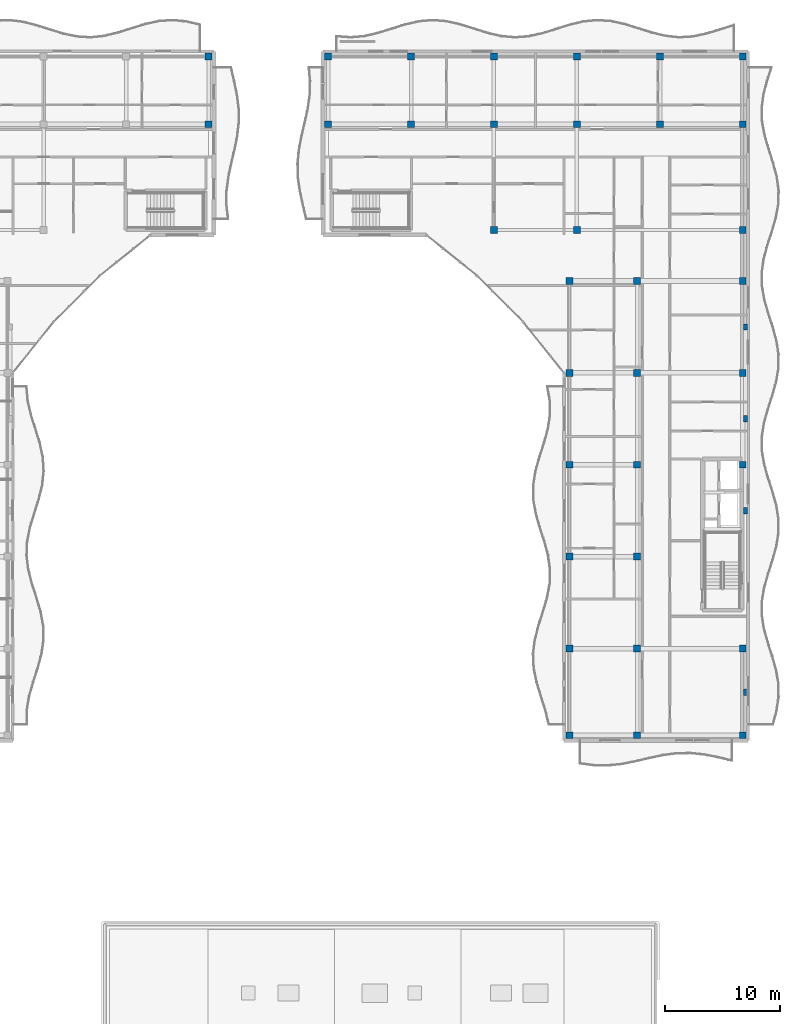
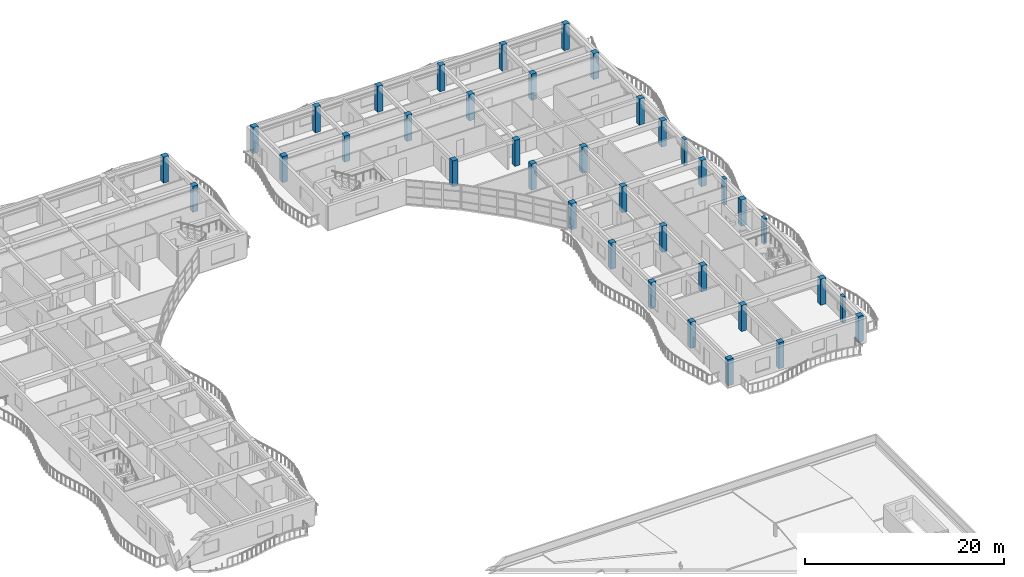
# One storey, part 3 of 79: 38 columns.
"""IFC4 building model written with IfcOpenShell, lengths in metres."""

from ifc_helpers import new_model, si_unit, direction, frame, origin, origin_2d, place, context, subcontext, project, spatial, rectangle, extrude, material, material_profile, profile_set, type_object, element, save


model = new_model("IFC4")

# Units and contexts
model_context = context("Model", 3, precision=1e-05, world=origin(), true_north=direction((0.0, 1.0)))
body_context = subcontext(model_context, "Body", "Model", "MODEL_VIEW")
ifc_project = project(units=[si_unit("LENGTHUNIT", "METRE"), si_unit("AREAUNIT", "SQUARE_METRE"), si_unit("VOLUMEUNIT", "CUBIC_METRE"), si_unit("PLANEANGLEUNIT", "RADIAN"), si_unit("MASSUNIT", "GRAM", prefix="KILO")], contexts=[model_context])

# Site, building, storey
site_placement = place(None, origin())
site = spatial("IfcSite", under=ifc_project, at=site_placement, CompositionType="ELEMENT")
building_placement = place(site_placement, origin())
building = spatial("IfcBuilding", under=site, at=building_placement, Name="Keldmere Railside Commons", CompositionType="ELEMENT")
storey_placement = place(building_placement, frame((0.0, 0.0, 10.56005859375)))
storey = spatial("IfcBuildingStorey", under=building, at=storey_placement, Name="L03", CompositionType="ELEMENT", Elevation=10.56005859375)

# Columns
ifc_material_1 = material(Name="Architectural Precast Concrete H-35 (C35/45)", Category="concrete")
ifc_material_profile_1 = material_profile(ifc_material_1, rectangle(XDim=0.35009765625, YDim=0.550048828125, at=origin_2d()), Name="RC-350x550")
ifc_profile_set_1 = profile_set([ifc_material_profile_1], Name="Architectural Precast Concrete H-35 (C35/45)")
column_type_1 = type_object("IfcColumnType", Name="Facade Precast Pilaster Column 350x550", PredefinedType="PILASTER", material=ifc_profile_set_1)
for number, where, z_axis, x_axis, name in (
    (1, (183.780029296875, 60.199951171875, 0.0), (0.0, 0.0, 1.0), (1.0, 0.0, 0.0), "C-PIL COL-L03-1916"),
    (2, (183.780029296875, 76.0, 0.0), (0.0, 0.0, 1.0), (1.0, 0.0, 0.0), "C-PIL COL-L03-1921"),
    (3, (183.780029296875, 84.0, 0.0), (0.0, 0.0, 1.0), (1.0, 0.0, 0.0), "C-PIL COL-L03-1926"),
    (4, (183.780029296875, 92.0, 0.0), (0.0, 0.0, 1.0), (1.0, 0.0, 0.0), "C-PIL COL-L03-1931"),
):
    element("IfcColumn", number, at=place(storey_placement, frame(where, z_axis=z_axis, x_axis=x_axis)), inside=storey, type_object=column_type_1, Name=name, PredefinedType="PILASTER", context=body_context, shape_type="SweptSolid", body=[
        extrude(rectangle(XDim=0.35009765625, YDim=0.550048828125, at=origin_2d()), origin(), (0.0, 0.0, 1.0), 3.199951171875),
    ])
ifc_material_2 = material(Name="Concrete H-35 (C35/45)", Category="concrete")
ifc_material_profile_2 = material_profile(ifc_material_2, rectangle(XDim=0.60009765625, YDim=0.60009765625, at=origin_2d()), Name="RC-600x600")
ifc_profile_set_2 = profile_set([ifc_material_profile_2], Name="Concrete H-35 (C35/45)")
column_type_2 = type_object("IfcColumnType", Name="Mid-Rise RC Column 600x600", PredefinedType="COLUMN", material=ifc_profile_set_2)
for number, where, z_axis, x_axis, name in (
    (5, (137.050048828125, 109.64990234375, 0.0), (0.0, 0.0, 1.0), (1.0, 0.0, 0.0), "C-600 COL-L03-1346"),
    (6, (137.050048828125, 115.550048828125, 0.0), (0.0, 0.0, 1.0), (1.0, 0.0, 0.0), "C-600 COL-L03-1359"),
    (7, (147.449951171875, 109.64990234375, 0.0), (0.0, 0.0, 1.0), (1.0, 0.0, 0.0), "C-600 COL-L03-1376"),
    (8, (147.449951171875, 115.550048828125, 0.0), (0.0, 0.0, 1.0), (1.0, 0.0, 0.0), "C-600 COL-L03-1391"),
    (9, (154.669921875, 109.64990234375, 0.0), (0.0, 0.0, 1.0), (1.0, 0.0, 0.0), "C-600 COL-L03-1428"),
    (10, (154.669921875, 115.550048828125, 0.0), (0.0, 0.0, 1.0), (1.0, 0.0, 0.0), "C-600 COL-L03-1443"),
    (11, (161.889892578125, 100.449951171875, 0.0), (0.0, 0.0, 1.0), (1.0, 0.0, 0.0), "C-600 COL-L03-1481"),
    (12, (161.889892578125, 109.64990234375, 0.0), (0.0, 0.0, 1.0), (1.0, 0.0, 0.0), "C-600 COL-L03-1497"),
    (13, (161.889892578125, 115.550048828125, 0.0), (0.0, 0.0, 1.0), (1.0, 0.0, 0.0), "C-600 COL-L03-1512"),
    (14, (168.449951171875, 56.449951171875, 0.0), (0.0, 0.0, 1.0), (1.0, 0.0, 0.0), "C-600 COL-L03-1547"),
    (15, (168.449951171875, 64.0, 0.0), (0.0, 0.0, 1.0), (1.0, 0.0, 0.0), "C-600 COL-L03-1557"),
    (16, (168.449951171875, 72.0, 0.0), (0.0, 0.0, 1.0), (1.0, 0.0, 0.0), "C-600 COL-L03-1571"),
    (17, (168.449951171875, 80.0, 0.0), (0.0, 0.0, 1.0), (1.0, 0.0, 0.0), "C-600 COL-L03-1586"),
    (18, (168.449951171875, 88.0, 0.0), (0.0, 0.0, 1.0), (1.0, 0.0, 0.0), "C-600 COL-L03-1601"),
    (19, (168.449951171875, 96.0, 0.0), (0.0, 0.0, 1.0), (1.0, 0.0, 0.0), "C-600 COL-L03-1616"),
    (20, (169.110107421875, 100.449951171875, 0.0), (0.0, 0.0, 1.0), (1.0, 0.0, 0.0), "C-600 COL-L03-1631"),
    (21, (169.110107421875, 109.64990234375, 0.0), (0.0, 0.0, 1.0), (1.0, 0.0, 0.0), "C-600 COL-L03-1647"),
    (22, (169.110107421875, 115.550048828125, 0.0), (0.0, 0.0, 1.0), (1.0, 0.0, 0.0), "C-600 COL-L03-1662"),
    (23, (174.35009765625, 56.449951171875, 0.0), (0.0, 0.0, 1.0), (1.0, 0.0, 0.0), "C-600 COL-L03-1673"),
    (24, (174.35009765625, 64.0, 0.0), (0.0, 0.0, 1.0), (1.0, 0.0, 0.0), "C-600 COL-L03-1683"),
    (25, (174.35009765625, 72.0, 0.0), (0.0, 0.0, 1.0), (1.0, 0.0, 0.0), "C-600 COL-L03-1697"),
    (26, (174.35009765625, 80.0, 0.0), (0.0, 0.0, 1.0), (1.0, 0.0, 0.0), "C-600 COL-L03-1712"),
    (27, (174.35009765625, 88.0, 0.0), (0.0, 0.0, 1.0), (1.0, 0.0, 0.0), "C-600 COL-L03-1727"),
    (28, (174.35009765625, 96.0, 0.0), (0.0, 0.0, 1.0), (1.0, 0.0, 0.0), "C-600 COL-L03-1742"),
    (29, (176.330078125, 109.64990234375, 0.0), (0.0, 0.0, 1.0), (1.0, 0.0, 0.0), "C-600 COL-L03-1775"),
    (30, (176.330078125, 115.550048828125, 0.0), (0.0, 0.0, 1.0), (1.0, 0.0, 0.0), "C-600 COL-L03-1790"),
    (31, (183.550048828125, 56.449951171875, 0.0), (0.0, 0.0, 1.0), (1.0, 0.0, 0.0), "C-600 COL-L03-1805"),
    (32, (183.550048828125, 64.0, 0.0), (0.0, 0.0, 1.0), (1.0, 0.0, 0.0), "C-600 COL-L03-1815"),
    (33, (183.550048828125, 80.0, 0.0), (0.0, 0.0, 1.0), (1.0, 0.0, 0.0), "C-600 COL-L03-1829"),
    (34, (183.550048828125, 88.0, 0.0), (0.0, 0.0, 1.0), (1.0, 0.0, 0.0), "C-600 COL-L03-1844"),
    (35, (183.550048828125, 96.0, 0.0), (0.0, 0.0, 1.0), (1.0, 0.0, 0.0), "C-600 COL-L03-1859"),
    (36, (183.550048828125, 100.449951171875, 0.0), (0.0, 0.0, 1.0), (1.0, 0.0, 0.0), "C-600 COL-L03-1874"),
    (37, (183.550048828125, 109.64990234375, 0.0), (0.0, 0.0, 1.0), (1.0, 0.0, 0.0), "C-600 COL-L03-1890"),
    (38, (183.550048828125, 115.550048828125, 0.0), (0.0, 0.0, 1.0), (1.0, 0.0, 0.0), "C-600 COL-L03-1905"),
):
    element("IfcColumn", number, at=place(storey_placement, frame(where, z_axis=z_axis, x_axis=x_axis)), inside=storey, type_object=column_type_2, Name=name, PredefinedType="COLUMN", context=body_context, shape_type="SweptSolid", body=[
        extrude(rectangle(XDim=0.60009765625, YDim=0.60009765625, at=origin_2d()), origin(), (0.0, 0.0, 1.0), 3.199951171875),
    ])

save(model, "model.ifc")
